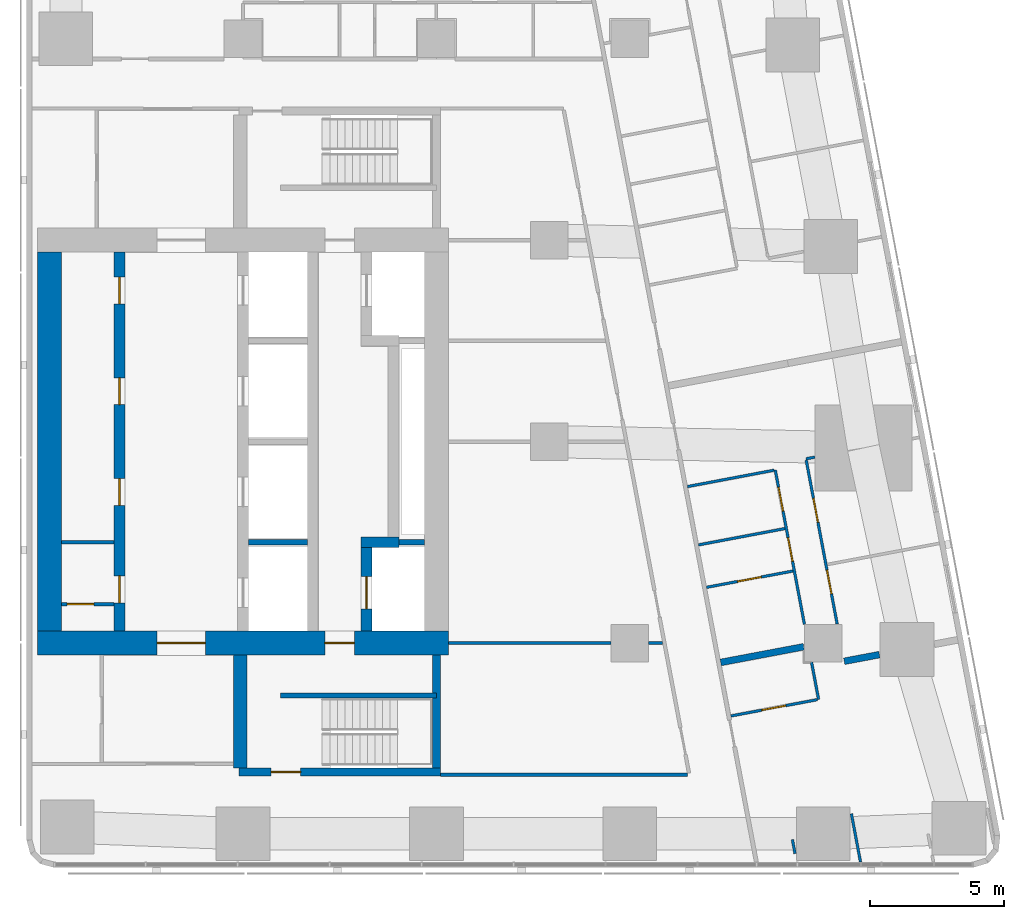
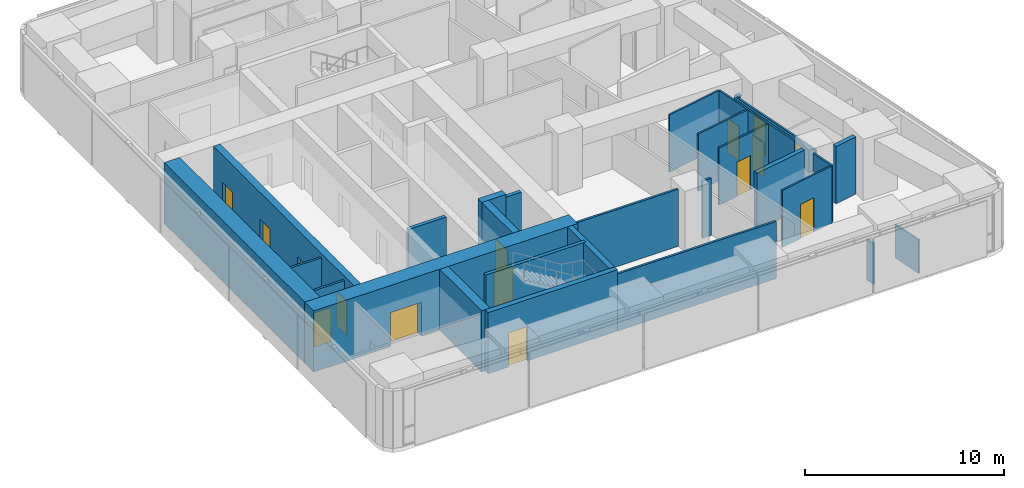
# One storey, part 5 of 11: 28 walls, 15 doors, 15 openings.
"""IFC4 building model written with IfcOpenShell, lengths in metres."""

from ifc_helpers import new_model, si_unit, direction, frame, frame_2d, origin, place, context, subcontext, project, spatial, rectangle, extrude, material, layer, layer_set, type_object, element, fill, save


model = new_model("IFC4")

# Units and contexts
model_context = context("Model", 3, precision=1e-05, world=origin(), true_north=direction((0.0, 1.0)))
body_context = subcontext(model_context, "Body", "Model", "MODEL_VIEW")
ifc_project = project(units=[si_unit("LENGTHUNIT", "METRE"), si_unit("AREAUNIT", "SQUARE_METRE"), si_unit("VOLUMEUNIT", "CUBIC_METRE"), si_unit("PLANEANGLEUNIT", "RADIAN"), si_unit("MASSUNIT", "GRAM", prefix="KILO")], contexts=[model_context])

# Site, building, storey
site_placement = place(None, origin())
site = spatial("IfcSite", under=ifc_project, at=site_placement, CompositionType="ELEMENT")
building_placement = place(site_placement, origin())
building = spatial("IfcBuilding", under=site, at=building_placement, Name="Sheger Commons Tower", CompositionType="ELEMENT")
storey_placement = place(building_placement, frame((0.0, 0.0, 262.85009765625)))
storey = spatial("IfcBuildingStorey", under=building, at=storey_placement, Name="L67", CompositionType="ELEMENT", Elevation=262.85009765625)

# Wall, openings, doors
ifc_material_1 = material(Name="Concrete C50/60", Category="concrete")
ifc_layer_1 = layer(ifc_material_1, 0.39990234375)
ifc_layer_set_1 = layer_set([ifc_layer_1], Name="CORE INNER WALL 400")
wall_type_1 = type_object("IfcWallType", Name="CORE INNER WALL 400", PredefinedType="SHEAR", material=ifc_layer_set_1)
wall_1_placement = place(storey_placement, frame((17.0, 15.449951171875, 0.0), z_axis=(0.0, 0.0, 1.0), x_axis=(0.0, 1.0, 0.0)))
wall_1 = element("IfcWall", 1, at=wall_1_placement, inside=storey, type_object=wall_type_1, Name="Core inner wall A L67", PredefinedType="SHEAR", context=body_context, shape_type="SweptSolid", body=[
    extrude(rectangle(XDim=14.10009765625, YDim=0.39990234375, at=frame_2d((7.050048828125, 0.0))), origin(), (0.0, 0.0, 1.0), 3.75),
])
opening_1_placement = place(wall_1_placement, frame((1.050048828125, 0.0, 0.0)))
opening_1 = element("IfcOpeningElement", 2, at=opening_1_placement, cuts=wall_1, Name="Opening D4", PredefinedType="OPENING", context=body_context, shape_type="SweptSolid", body=[
    extrude(rectangle(XDim=1.0, YDim=2.10009765625, at=frame_2d((0.5, 1.050048828125))), frame((0.0, 0.2099609375, 0.0), z_axis=(0.0, -1.0, 0.0), x_axis=(1.0, 0.0, 0.0)), (0.0, 0.0, 1.0), 0.419921875),
])
opening_2_placement = place(wall_1_placement, frame((4.675048828125, 0.0, 0.0)))
opening_2 = element("IfcOpeningElement", 3, at=opening_2_placement, cuts=wall_1, Name="Opening D4", PredefinedType="OPENING", context=body_context, shape_type="SweptSolid", body=[
    extrude(rectangle(XDim=1.0, YDim=2.10009765625, at=frame_2d((0.5, 1.050048828125))), frame((0.0, 0.2099609375, 0.0), z_axis=(0.0, -1.0, 0.0), x_axis=(1.0, 0.0, 0.0)), (0.0, 0.0, 1.0), 0.419921875),
])
opening_3_placement = place(wall_1_placement, frame((8.425048828125, 0.0, 0.0)))
opening_3 = element("IfcOpeningElement", 4, at=opening_3_placement, cuts=wall_1, Name="Opening D4", PredefinedType="OPENING", context=body_context, shape_type="SweptSolid", body=[
    extrude(rectangle(XDim=1.0, YDim=2.10009765625, at=frame_2d((0.5, 1.050048828125))), frame((0.0, 0.2099609375, 0.0), z_axis=(0.0, -1.0, 0.0), x_axis=(1.0, 0.0, 0.0)), (0.0, 0.0, 1.0), 0.419921875),
])
opening_4_placement = place(wall_1_placement, frame((12.175048828125, 0.0, 0.0)))
opening_4 = element("IfcOpeningElement", 5, at=opening_4_placement, cuts=wall_1, Name="Opening D4", PredefinedType="OPENING", context=body_context, shape_type="SweptSolid", body=[
    extrude(rectangle(XDim=1.0, YDim=2.10009765625, at=frame_2d((0.5, 1.050048828125))), frame((0.0, 0.2099609375, 0.0), z_axis=(0.0, -1.0, 0.0), x_axis=(1.0, 0.0, 0.0)), (0.0, 0.0, 1.0), 0.419921875),
])
ifc_material_2 = material(Name="Steel door set, fire rated", Category="steel")
door_type_1 = type_object("IfcDoorType", Name="SERVICE DOOR 1000x2100", OperationType="NOTDEFINED", PredefinedType="DOOR", material=ifc_material_2)
door_1_placement = place(opening_1_placement, origin())
door_1 = element("IfcDoor", 6, at=door_1_placement, inside=storey, type_object=door_type_1, Name="IT and telecom room door", OperationType="SINGLE_SWING_LEFT", OverallHeight=2.10009765625, OverallWidth=1.0, PredefinedType="DOOR", context=body_context, shape_type="SweptSolid", body=[
    extrude(rectangle(XDim=1.0, YDim=2.10009765625, at=frame_2d((0.5, 1.050048828125))), frame((0.0, 0.02490234375, 0.0), z_axis=(0.0, -1.0, 0.0), x_axis=(1.0, 0.0, 0.0)), (0.0, 0.0, 1.0), 0.050048828125),
])
fill(opening_1, door_1)
door_2_placement = place(opening_2_placement, origin())
door_2 = element("IfcDoor", 7, at=door_2_placement, inside=storey, type_object=door_type_1, Name="Linen and housekeeping store door", OperationType="SINGLE_SWING_LEFT", OverallHeight=2.10009765625, OverallWidth=1.0, PredefinedType="DOOR", context=body_context, shape_type="SweptSolid", body=[
    extrude(rectangle(XDim=1.0, YDim=2.10009765625, at=frame_2d((0.5, 1.050048828125))), frame((0.0, 0.02490234375, 0.0), z_axis=(0.0, -1.0, 0.0), x_axis=(1.0, 0.0, 0.0)), (0.0, 0.0, 1.0), 0.050048828125),
])
fill(opening_2, door_2)
door_3_placement = place(opening_3_placement, origin())
door_3 = element("IfcDoor", 8, at=door_3_placement, inside=storey, type_object=door_type_1, Name="Linen and housekeeping store door", OperationType="SINGLE_SWING_RIGHT", OverallHeight=2.10009765625, OverallWidth=1.0, PredefinedType="DOOR", context=body_context, shape_type="SweptSolid", body=[
    extrude(rectangle(XDim=1.0, YDim=2.10009765625, at=frame_2d((0.5, 1.050048828125))), frame((0.0, 0.02490234375, 0.0), z_axis=(0.0, -1.0, 0.0), x_axis=(1.0, 0.0, 0.0)), (0.0, 0.0, 1.0), 0.050048828125),
])
fill(opening_3, door_3)
door_4_placement = place(opening_4_placement, origin())
door_4 = element("IfcDoor", 9, at=door_4_placement, inside=storey, type_object=door_type_1, Name="Linen and housekeeping store door", OperationType="SINGLE_SWING_RIGHT", OverallHeight=2.10009765625, OverallWidth=1.0, PredefinedType="DOOR", context=body_context, shape_type="SweptSolid", body=[
    extrude(rectangle(XDim=1.0, YDim=2.10009765625, at=frame_2d((0.5, 1.050048828125))), frame((0.0, 0.02490234375, 0.0), z_axis=(0.0, -1.0, 0.0), x_axis=(1.0, 0.0, 0.0)), (0.0, 0.0, 1.0), 0.050048828125),
])
fill(opening_4, door_4)

# Wall, opening, door
wall_2_placement = place(storey_placement, frame((26.199951171875, 15.449951171875, 0.0), z_axis=(0.0, 0.0, 1.0), x_axis=(0.0, 1.0, 0.0)))
wall_2 = element("IfcWall", 10, at=wall_2_placement, inside=storey, type_object=wall_type_1, Name="Core inner wall F L67", PredefinedType="SHEAR", context=body_context, shape_type="SweptSolid", body=[
    extrude(rectangle(XDim=3.10009765625, YDim=0.39990234375, at=frame_2d((1.550048828125, 0.0))), origin(), (0.0, 0.0, 1.0), 3.75),
])
opening_5_placement = place(wall_2_placement, frame((0.824951171875, 0.0, 0.0)))
opening_5 = element("IfcOpeningElement", 11, at=opening_5_placement, cuts=wall_2, Name="Opening LD2", PredefinedType="OPENING", context=body_context, shape_type="SweptSolid", body=[
    extrude(rectangle(XDim=1.199951171875, YDim=2.10009765625, at=frame_2d((0.60009765625, 1.050048828125))), frame((0.0, 0.2099609375, 0.0), z_axis=(0.0, -1.0, 0.0), x_axis=(1.0, 0.0, 0.0)), (0.0, 0.0, 1.0), 0.419921875),
])
ifc_material_3 = material(Name="Steel door set, fire rated", Category="steel")
door_type_2 = type_object("IfcDoorType", Name="FIREFIGHTING LIFT LANDING DOOR 1200x2100", OperationType="DOUBLE_DOOR_SLIDING", PredefinedType="DOOR", material=ifc_material_3)
door_5_placement = place(opening_5_placement, origin())
door_5 = element("IfcDoor", 12, at=door_5_placement, inside=storey, type_object=door_type_2, Name="Lift FL1 landing door", OperationType="DOUBLE_DOOR_SLIDING", OverallHeight=2.10009765625, OverallWidth=1.199951171875, PredefinedType="DOOR", context=body_context, shape_type="SweptSolid", body=[
    extrude(rectangle(XDim=1.199951171875, YDim=2.10009765625, at=frame_2d((0.60009765625, 1.050048828125))), frame((0.0, 0.02490234375, 0.0), z_axis=(0.0, -1.0, 0.0), x_axis=(1.0, 0.0, 0.0)), (0.0, 0.0, 1.0), 0.050048828125),
])
fill(opening_5, door_5)

# Wall
wall_3_placement = place(storey_placement, frame((26.0, 18.75, 0.0), z_axis=(0.0, 0.0, 1.0), x_axis=(1.0, 0.0, 0.0)))
element("IfcWall", 13, at=wall_3_placement, inside=storey, type_object=wall_type_1, Name="Core inner wall F south return L67", PredefinedType="SHEAR", context=body_context, shape_type="SweptSolid", body=[
    extrude(rectangle(XDim=1.39990234375, YDim=0.39990234375, at=frame_2d((0.699951171875, 0.0))), origin(), (0.0, 0.0, 1.0), 3.75),
])

# Wall, openings, doors
ifc_material_4 = material(Name="Concrete C50/60", Category="concrete")
ifc_layer_2 = layer(ifc_material_4, 0.89990234375)
ifc_layer_set_2 = layer_set([ifc_layer_2], Name="CORE WALL 900")
wall_type_2 = type_object("IfcWallType", Name="CORE WALL 900", PredefinedType="SHEAR", material=ifc_layer_set_2)
wall_4_placement = place(storey_placement, frame((13.949951171875, 15.0, 0.0), z_axis=(0.0, 0.0, 1.0), x_axis=(1.0, 0.0, 0.0)))
wall_4 = element("IfcWall", 14, at=wall_4_placement, inside=storey, type_object=wall_type_2, Name="Core wall south L67", PredefinedType="SHEAR", context=body_context, shape_type="SweptSolid", body=[
    extrude(rectangle(XDim=15.300048828125, YDim=0.89990234375, at=frame_2d((7.64990234375, 0.0))), origin(), (0.0, 0.0, 1.0), 3.75),
])
opening_6_placement = place(wall_4_placement, frame((4.449951171875, 0.0, 0.0)))
opening_6 = element("IfcOpeningElement", 15, at=opening_6_placement, cuts=wall_4, Name="Opening D6", PredefinedType="OPENING", context=body_context, shape_type="SweptSolid", body=[
    extrude(rectangle(XDim=1.800048828125, YDim=2.10009765625, at=frame_2d((0.89990234375, 1.050048828125))), frame((0.0, 0.4599609375, 0.0), z_axis=(0.0, -1.0, 0.0), x_axis=(1.0, 0.0, 0.0)), (0.0, 0.0, 1.0), 0.919921875),
])
opening_7_placement = place(wall_4_placement, frame((10.699951171875, 0.0, 0.0)))
opening_7 = element("IfcOpeningElement", 16, at=opening_7_placement, cuts=wall_4, Name="Opening D5", PredefinedType="OPENING", context=body_context, shape_type="SweptSolid", body=[
    extrude(rectangle(XDim=1.10009765625, YDim=2.10009765625, at=frame_2d((0.550048828125, 1.050048828125))), frame((0.0, 0.4599609375, 0.0), z_axis=(0.0, -1.0, 0.0), x_axis=(1.0, 0.0, 0.0)), (0.0, 0.0, 1.0), 0.919921875),
])
ifc_material_5 = material(Name="Steel door set, fire rated", Category="steel")
door_type_3 = type_object("IfcDoorType", Name="LOBBY DOUBLE DOOR 1800x2100", OperationType="DOUBLE_DOOR_SINGLE_SWING", PredefinedType="DOOR", material=ifc_material_5)
door_6_placement = place(opening_6_placement, origin())
door_6 = element("IfcDoor", 17, at=door_6_placement, inside=storey, type_object=door_type_3, Name="Lift lobby door", OperationType="DOUBLE_DOOR_SINGLE_SWING", OverallHeight=2.10009765625, OverallWidth=1.800048828125, PredefinedType="DOOR", context=body_context, shape_type="SweptSolid", body=[
    extrude(rectangle(XDim=1.800048828125, YDim=2.10009765625, at=frame_2d((0.89990234375, 1.050048828125))), frame((0.0, 0.02490234375, 0.0), z_axis=(0.0, -1.0, 0.0), x_axis=(1.0, 0.0, 0.0)), (0.0, 0.0, 1.0), 0.050048828125),
])
fill(opening_6, door_6)
ifc_material_6 = material(Name="Steel door set, fire rated", Category="steel")
door_type_4 = type_object("IfcDoorType", Name="STAIR DOOR 1100x2100", OperationType="NOTDEFINED", PredefinedType="DOOR", material=ifc_material_6)
door_7_placement = place(opening_7_placement, origin())
door_7 = element("IfcDoor", 18, at=door_7_placement, inside=storey, type_object=door_type_4, Name="Fire-fighting lobby door", OperationType="SINGLE_SWING_LEFT", OverallHeight=2.10009765625, OverallWidth=1.10009765625, PredefinedType="DOOR", context=body_context, shape_type="SweptSolid", body=[
    extrude(rectangle(XDim=1.10009765625, YDim=2.10009765625, at=frame_2d((0.550048828125, 1.050048828125))), frame((0.0, 0.02490234375, 0.0), z_axis=(0.0, -1.0, 0.0), x_axis=(1.0, 0.0, 0.0)), (0.0, 0.0, 1.0), 0.050048828125),
])
fill(opening_7, door_7)

# Walls
wall_5_placement = place(storey_placement, frame((14.39990234375, 15.449951171875, 0.0), z_axis=(0.0, 0.0, 1.0), x_axis=(0.0, 1.0, 0.0)))
element("IfcWall", 19, at=wall_5_placement, inside=storey, type_object=wall_type_2, Name="Core wall west L67", PredefinedType="SHEAR", context=body_context, shape_type="SweptSolid", body=[
    extrude(rectangle(XDim=14.10009765625, YDim=0.89990234375, at=frame_2d((7.050048828125, 0.0))), origin(), (0.0, 0.0, 1.0), 3.75),
])
ifc_material_7 = material(Name="Dense concrete block masonry, plastered both sides (separating wall between flats)", Category="masonry")
ifc_layer_3 = layer(ifc_material_7, 0.25)
ifc_layer_set_3 = layer_set([ifc_layer_3], Name="DEMISING WALL 250")
wall_type_3 = type_object("IfcWallType", Name="DEMISING WALL 250", PredefinedType="SOLIDWALL", material=ifc_layer_set_3)
wall_6_placement = place(storey_placement, frame((45.2900390625, 14.569091796875, 0.0), z_axis=(0.0, 0.0, 1.0), x_axis=(-0.982676759201, -0.185327782391, 0.0)))
element("IfcWall", 20, at=wall_6_placement, inside=storey, type_object=wall_type_3, Name="Demising wall L67", PredefinedType="SOLIDWALL", context=body_context, shape_type="SweptSolid", body=[
    extrude(rectangle(XDim=1.333251953125, YDim=0.25, at=frame_2d((0.66650390625, 0.0))), origin(), (0.0, 0.0, 1.0), 3.5),
])
wall_7_placement = place(storey_placement, frame((42.47607421875, 14.863037109375, 0.0), z_axis=(0.0, 0.0, 1.0), x_axis=(-0.982638716117, -0.185529387398, 0.0)))
element("IfcWall", 21, at=wall_7_placement, inside=storey, type_object=wall_type_3, Name="Demising wall L67", PredefinedType="SOLIDWALL", context=body_context, shape_type="SweptSolid", body=[
    extrude(rectangle(XDim=3.147705078125, YDim=0.25, at=frame_2d((1.57373046875, 0.0))), origin(), (0.0, 0.0, 1.0), 3.5),
])
ifc_material_8 = material(Name="Gypsum board on steel studs", Category="steel")
ifc_layer_4 = layer(ifc_material_8, 0.10009765625)
ifc_layer_set_4 = layer_set([ifc_layer_4], Name="PARTITION 100")
wall_type_4 = type_object("IfcWallType", Name="PARTITION 100", PredefinedType="PARTITIONING", material=ifc_layer_set_4)
wall_8_placement = place(storey_placement, frame((44.248046875, 8.64599609375, 0.0), z_axis=(0.0, 0.0, 1.0), x_axis=(0.185417594585, -0.982659816833, 0.0)))
element("IfcWall", 22, at=wall_8_placement, inside=storey, type_object=wall_type_4, Name="Partition L67", PredefinedType="PARTITIONING", context=body_context, shape_type="SweptSolid", body=[
    extrude(rectangle(XDim=1.82763671875, YDim=0.10009765625, at=frame_2d((0.913818359375, 0.0))), origin(), (0.0, 0.0, 1.0), 2.0498046875),
])
wall_9_placement = place(storey_placement, frame((42.15087890625, 7.159912109375, 0.0), z_axis=(0.0, 0.0, 1.0), x_axis=(-0.185366164644, 0.982669519729, 0.0)))
element("IfcWall", 23, at=wall_9_placement, inside=storey, type_object=wall_type_4, Name="Partition L67", PredefinedType="PARTITIONING", context=body_context, shape_type="SweptSolid", body=[
    extrude(rectangle(XDim=0.533447265625, YDim=0.10009765625, at=frame_2d((0.2666015625, 0.0))), origin(), (0.0, 0.0, 1.0), 2.5),
])

# Wall, openings, doors
wall_10_placement = place(storey_placement, frame((42.56591796875, 21.80908203125, 0.0), z_axis=(0.0, 0.0, 1.0), x_axis=(0.185613526435, -0.98262282632, 0.0)))
wall_10 = element("IfcWall", 24, at=wall_10_placement, inside=storey, type_object=wall_type_4, Name="Partition L67", PredefinedType="PARTITIONING", context=body_context, shape_type="SweptSolid", body=[
    extrude(rectangle(XDim=6.20703125, YDim=0.10009765625, at=frame_2d((3.103515625, 0.0))), origin(), (0.0, 0.0, 1.0), 2.5),
])
opening_8_placement = place(wall_10_placement, frame((1.449951171875, 0.0, 0.0)))
opening_8 = element("IfcOpeningElement", 25, at=opening_8_placement, cuts=wall_10, Name="Opening D2", PredefinedType="OPENING", context=body_context, shape_type="SweptSolid", body=[
    extrude(rectangle(XDim=0.89990234375, YDim=2.10009765625, at=frame_2d((0.449951171875, 1.050048828125))), frame((0.0, 0.06005859375, 0.0), z_axis=(0.0, -1.0, 0.0), x_axis=(1.0, 0.0, 0.0)), (0.0, 0.0, 1.0), 0.1201171875),
])
opening_9_placement = place(wall_10_placement, frame((4.1630859375, 0.0, 0.0)))
opening_9 = element("IfcOpeningElement", 26, at=opening_9_placement, cuts=wall_10, Name="Opening D2", PredefinedType="OPENING", context=body_context, shape_type="SweptSolid", body=[
    extrude(rectangle(XDim=0.89990234375, YDim=2.10009765625, at=frame_2d((0.449951171875, 1.050048828125))), frame((0.0, 0.06005859375, 0.0), z_axis=(0.0, -1.0, 0.0), x_axis=(1.0, 0.0, 0.0)), (0.0, 0.0, 1.0), 0.1201171875),
])
ifc_material_9 = material(Name="Timber door set", Category="wood")
door_type_5 = type_object("IfcDoorType", Name="INTERNAL DOOR 900x2100", OperationType="NOTDEFINED", PredefinedType="DOOR", material=ifc_material_9)
door_8_placement = place(opening_8_placement, origin())
door_8 = element("IfcDoor", 27, at=door_8_placement, inside=storey, type_object=door_type_5, Name="Main bedroom door", OperationType="SINGLE_SWING_LEFT", OverallHeight=2.10009765625, OverallWidth=0.89990234375, PredefinedType="DOOR", context=body_context, shape_type="SweptSolid", body=[
    extrude(rectangle(XDim=0.89990234375, YDim=2.10009765625, at=frame_2d((0.449951171875, 1.050048828125))), frame((0.0, 0.02490234375, 0.0), z_axis=(0.0, -1.0, 0.0), x_axis=(1.0, 0.0, 0.0)), (0.0, 0.0, 1.0), 0.050048828125),
])
fill(opening_8, door_8)
door_9_placement = place(opening_9_placement, origin())
door_9 = element("IfcDoor", 28, at=door_9_placement, inside=storey, type_object=door_type_5, Name="Bedroom 2 door", OperationType="SINGLE_SWING_LEFT", OverallHeight=2.10009765625, OverallWidth=0.89990234375, PredefinedType="DOOR", context=body_context, shape_type="SweptSolid", body=[
    extrude(rectangle(XDim=0.89990234375, YDim=2.10009765625, at=frame_2d((0.449951171875, 1.050048828125))), frame((0.0, 0.02490234375, 0.0), z_axis=(0.0, -1.0, 0.0), x_axis=(1.0, 0.0, 0.0)), (0.0, 0.0, 1.0), 0.050048828125),
])
fill(opening_9, door_9)

wall_11_placement = place(storey_placement, frame((41.4140625, 21.44189453125, 0.0), z_axis=(0.0, 0.0, 1.0), x_axis=(0.185698675093, -0.982606738257, 0.0)))
wall_11 = element("IfcWall", 29, at=wall_11_placement, inside=storey, type_object=wall_type_4, Name="Partition L67", PredefinedType="PARTITIONING", context=body_context, shape_type="SweptSolid", body=[
    extrude(rectangle(XDim=5.842529296875, YDim=0.10009765625, at=frame_2d((2.92138671875, 0.0))), origin(), (0.0, 0.0, 1.0), 3.5),
])
opening_10_placement = place(wall_11_placement, frame((0.655029296875, 0.0, 0.0)))
opening_10 = element("IfcOpeningElement", 30, at=opening_10_placement, cuts=wall_11, Name="Opening D2", PredefinedType="OPENING", context=body_context, shape_type="SweptSolid", body=[
    extrude(rectangle(XDim=0.89990234375, YDim=2.10009765625, at=frame_2d((0.449951171875, 1.050048828125))), frame((0.0, 0.06005859375, 0.0), z_axis=(0.0, -1.0, 0.0), x_axis=(1.0, 0.0, 0.0)), (0.0, 0.0, 1.0), 0.1201171875),
])
opening_11_placement = place(wall_11_placement, frame((2.56298828125, 0.0, 0.0)))
opening_11 = element("IfcOpeningElement", 31, at=opening_11_placement, cuts=wall_11, Name="Opening D2", PredefinedType="OPENING", context=body_context, shape_type="SweptSolid", body=[
    extrude(rectangle(XDim=0.89990234375, YDim=2.10009765625, at=frame_2d((0.449951171875, 1.050048828125))), frame((0.0, 0.06005859375, 0.0), z_axis=(0.0, -1.0, 0.0), x_axis=(1.0, 0.0, 0.0)), (0.0, 0.0, 1.0), 0.1201171875),
])
door_10_placement = place(opening_10_placement, origin())
door_10 = element("IfcDoor", 32, at=door_10_placement, inside=storey, type_object=door_type_5, Name="Bathroom door", OperationType="SINGLE_SWING_RIGHT", OverallHeight=2.10009765625, OverallWidth=0.89990234375, PredefinedType="DOOR", context=body_context, shape_type="SweptSolid", body=[
    extrude(rectangle(XDim=0.89990234375, YDim=2.10009765625, at=frame_2d((0.449951171875, 1.050048828125))), frame((0.0, 0.02490234375, 0.0), z_axis=(0.0, -1.0, 0.0), x_axis=(1.0, 0.0, 0.0)), (0.0, 0.0, 1.0), 0.050048828125),
])
fill(opening_10, door_10)
door_11_placement = place(opening_11_placement, origin())
door_11 = element("IfcDoor", 33, at=door_11_placement, inside=storey, type_object=door_type_5, Name="Store door", OperationType="SINGLE_SWING_RIGHT", OverallHeight=2.10009765625, OverallWidth=0.89990234375, PredefinedType="DOOR", context=body_context, shape_type="SweptSolid", body=[
    extrude(rectangle(XDim=0.89990234375, YDim=2.10009765625, at=frame_2d((0.449951171875, 1.050048828125))), frame((0.0, 0.02490234375, 0.0), z_axis=(0.0, -1.0, 0.0), x_axis=(1.0, 0.0, 0.0)), (0.0, 0.0, 1.0), 0.050048828125),
])
fill(opening_11, door_11)

# Walls
wall_12_placement = place(storey_placement, frame((42.886962890625, 21.9208984375, 0.0), z_axis=(0.0, 0.0, 1.0), x_axis=(-0.982274918032, -0.187445953293, 0.0)))
element("IfcWall", 34, at=wall_12_placement, inside=storey, type_object=wall_type_4, Name="Partition L67", PredefinedType="PARTITIONING", context=body_context, shape_type="SweptSolid", body=[
    extrude(rectangle(XDim=0.3359375, YDim=0.10009765625, at=frame_2d((0.16796875, 0.0))), origin(), (0.0, 0.0, 1.0), 2.5),
])
wall_13_placement = place(storey_placement, frame((41.364990234375, 21.43310546875, 0.0), z_axis=(0.0, 0.0, 1.0), x_axis=(-0.982607026909, -0.185697147715, 0.0)))
element("IfcWall", 35, at=wall_13_placement, inside=storey, type_object=wall_type_4, Name="Partition L67", PredefinedType="PARTITIONING", context=body_context, shape_type="SweptSolid", body=[
    extrude(rectangle(XDim=3.27490234375, YDim=0.10009765625, at=frame_2d((1.637451171875, 0.0))), origin(), (0.0, 0.0, 1.0), 3.5),
])

# Wall, opening, door
wall_14_placement = place(storey_placement, frame((42.072998046875, 17.681884765625, 0.0), z_axis=(0.0, 0.0, 1.0), x_axis=(-0.982620626894, -0.185625169636, 0.0)))
wall_14 = element("IfcWall", 36, at=wall_14_placement, inside=storey, type_object=wall_type_4, Name="Partition L67", PredefinedType="PARTITIONING", context=body_context, shape_type="SweptSolid", body=[
    extrude(rectangle(XDim=3.27490234375, YDim=0.10009765625, at=frame_2d((1.637451171875, 0.0))), origin(), (0.0, 0.0, 1.0), 3.5),
])
opening_12_placement = place(wall_14_placement, frame((1.199951171875, 0.0, 0.0)))
opening_12 = element("IfcOpeningElement", 37, at=opening_12_placement, cuts=wall_14, Name="Opening D2", PredefinedType="OPENING", context=body_context, shape_type="SweptSolid", body=[
    extrude(rectangle(XDim=0.89990234375, YDim=2.10009765625, at=frame_2d((0.449951171875, 1.050048828125))), frame((0.0, 0.06005859375, 0.0), z_axis=(0.0, -1.0, 0.0), x_axis=(1.0, 0.0, 0.0)), (0.0, 0.0, 1.0), 0.1201171875),
])
door_12_placement = place(opening_12_placement, origin())
door_12 = element("IfcDoor", 38, at=door_12_placement, inside=storey, type_object=door_type_5, Name="Store door", OperationType="SINGLE_SWING_RIGHT", OverallHeight=2.10009765625, OverallWidth=0.89990234375, PredefinedType="DOOR", context=body_context, shape_type="SweptSolid", body=[
    extrude(rectangle(XDim=0.89990234375, YDim=2.10009765625, at=frame_2d((0.449951171875, 1.050048828125))), frame((0.0, 0.02490234375, 0.0), z_axis=(0.0, -1.0, 0.0), x_axis=(1.0, 0.0, 0.0)), (0.0, 0.0, 1.0), 0.050048828125),
])
fill(opening_12, door_12)

# Walls
wall_15_placement = place(storey_placement, frame((41.77490234375, 19.260986328125, 0.0), z_axis=(0.0, 0.0, 1.0), x_axis=(-0.982620626894, -0.185625169636, 0.0)))
element("IfcWall", 39, at=wall_15_placement, inside=storey, type_object=wall_type_4, Name="Partition L67", PredefinedType="PARTITIONING", context=body_context, shape_type="SweptSolid", body=[
    extrude(rectangle(XDim=3.27490234375, YDim=0.10009765625, at=frame_2d((1.637451171875, 0.0))), origin(), (0.0, 0.0, 1.0), 3.5),
])
wall_16_placement = place(storey_placement, frame((42.764892578125, 14.2900390625, 0.0), z_axis=(0.0, 0.0, 1.0), x_axis=(0.185634589628, -0.982618847333, 0.0)))
element("IfcWall", 40, at=wall_16_placement, inside=storey, type_object=wall_type_4, Name="Partition L67", PredefinedType="PARTITIONING", context=body_context, shape_type="SweptSolid", body=[
    extrude(rectangle(XDim=1.41259765625, YDim=0.10009765625, at=frame_2d((0.706298828125, 0.0))), origin(), (0.0, 0.0, 1.0), 3.5),
])

# Wall, opening, door
wall_17_placement = place(storey_placement, frame((42.97802734375, 12.89306640625, 0.0), z_axis=(0.0, 0.0, 1.0), x_axis=(-0.982607026909, -0.185697147715, 0.0)))
wall_17 = element("IfcWall", 41, at=wall_17_placement, inside=storey, type_object=wall_type_4, Name="Partition L67", PredefinedType="PARTITIONING", context=body_context, shape_type="SweptSolid", body=[
    extrude(rectangle(XDim=3.27490234375, YDim=0.10009765625, at=frame_2d((1.637451171875, 0.0))), origin(), (0.0, 0.0, 1.0), 3.5),
])
opening_13_placement = place(wall_17_placement, frame((1.199951171875, 0.0, 0.0)))
opening_13 = element("IfcOpeningElement", 42, at=opening_13_placement, cuts=wall_17, Name="Opening D2", PredefinedType="OPENING", context=body_context, shape_type="SweptSolid", body=[
    extrude(rectangle(XDim=0.89990234375, YDim=2.10009765625, at=frame_2d((0.449951171875, 1.050048828125))), frame((0.0, 0.06005859375, 0.0), z_axis=(0.0, -1.0, 0.0), x_axis=(1.0, 0.0, 0.0)), (0.0, 0.0, 1.0), 0.1201171875),
])
door_13_placement = place(opening_13_placement, origin())
door_13 = element("IfcDoor", 43, at=door_13_placement, inside=storey, type_object=door_type_5, Name="Shower room door", OperationType="SINGLE_SWING_RIGHT", OverallHeight=2.10009765625, OverallWidth=0.89990234375, PredefinedType="DOOR", context=body_context, shape_type="SweptSolid", body=[
    extrude(rectangle(XDim=0.89990234375, YDim=2.10009765625, at=frame_2d((0.449951171875, 1.050048828125))), frame((0.0, 0.02490234375, 0.0), z_axis=(0.0, -1.0, 0.0), x_axis=(1.0, 0.0, 0.0)), (0.0, 0.0, 1.0), 0.050048828125),
])
fill(opening_13, door_13)

# Walls
ifc_material_10 = material(Name="Gypsum board on steel studs, two layers each side, fire rated", Category="steel")
ifc_layer_5 = layer(ifc_material_10, 0.125)
ifc_layer_set_5 = layer_set([ifc_layer_5], Name="SERVICE WALL 125")
wall_type_5 = type_object("IfcWallType", Name="SERVICE WALL 125", PredefinedType="PARTITIONING", material=ifc_layer_set_5)
wall_18_placement = place(storey_placement, frame((28.949951171875, 10.10009765625, 0.0), z_axis=(0.0, 0.0, 1.0), x_axis=(1.0, 0.0, 0.0)))
element("IfcWall", 44, at=wall_18_placement, inside=storey, type_object=wall_type_5, Name="Service room wall L67", PredefinedType="PARTITIONING", context=body_context, shape_type="SweptSolid", body=[
    extrude(rectangle(XDim=9.18798828125, YDim=0.125, at=frame_2d((4.593994140625, 0.0))), origin(), (0.0, 0.0, 1.0), 3.5),
])
wall_19_placement = place(storey_placement, frame((29.25, 15.0, 0.0), z_axis=(0.0, 0.0, 1.0), x_axis=(1.0, 0.0, 0.0)))
element("IfcWall", 45, at=wall_19_placement, inside=storey, type_object=wall_type_5, Name="Service room wall L67", PredefinedType="PARTITIONING", context=body_context, shape_type="SweptSolid", body=[
    extrude(rectangle(XDim=6.049072265625, YDim=0.125, at=frame_2d((3.0244140625, 0.0))), origin(), (0.0, 0.0, 1.0), 3.5),
])
wall_20_placement = place(storey_placement, frame((36.700927734375, 15.0, 0.0), z_axis=(0.0, 0.0, 1.0), x_axis=(1.0, 0.0, 0.0)))
element("IfcWall", 46, at=wall_20_placement, inside=storey, type_object=wall_type_5, Name="Service room wall L67", PredefinedType="PARTITIONING", context=body_context, shape_type="SweptSolid", body=[
    extrude(rectangle(XDim=0.511962890625, YDim=0.125, at=frame_2d((0.255859375, 0.0))), origin(), (0.0, 0.0, 1.0), 3.5),
])

# Wall, opening, door
wall_21_placement = place(storey_placement, frame((14.85009765625, 16.449951171875, 0.0), z_axis=(0.0, 0.0, 1.0), x_axis=(1.0, 0.0, 0.0)))
wall_21 = element("IfcWall", 47, at=wall_21_placement, inside=storey, type_object=wall_type_5, Name="Service room wall L67", PredefinedType="PARTITIONING", context=body_context, shape_type="SweptSolid", body=[
    extrude(rectangle(XDim=1.949951171875, YDim=0.125, at=frame_2d((0.97509765625, 0.0))), origin(), (0.0, 0.0, 1.0), 3.5),
])
opening_14_placement = place(wall_21_placement, frame((0.199951171875, 0.0, 0.0)))
opening_14 = element("IfcOpeningElement", 48, at=opening_14_placement, cuts=wall_21, Name="Opening D4", PredefinedType="OPENING", context=body_context, shape_type="SweptSolid", body=[
    extrude(rectangle(XDim=1.0, YDim=2.10009765625, at=frame_2d((0.5, 1.050048828125))), frame((0.0, 0.072509765625, 0.0), z_axis=(0.0, -1.0, 0.0), x_axis=(1.0, 0.0, 0.0)), (0.0, 0.0, 1.0), 0.14501953125),
])
door_14_placement = place(opening_14_placement, origin())
door_14 = element("IfcDoor", 49, at=door_14_placement, inside=storey, type_object=door_type_1, Name="Electrical riser door", OperationType="SINGLE_SWING_RIGHT", OverallHeight=2.10009765625, OverallWidth=1.0, PredefinedType="DOOR", context=body_context, shape_type="SweptSolid", body=[
    extrude(rectangle(XDim=1.0, YDim=2.10009765625, at=frame_2d((0.5, 1.050048828125))), frame((0.0, 0.02490234375, 0.0), z_axis=(0.0, -1.0, 0.0), x_axis=(1.0, 0.0, 0.0)), (0.0, 0.0, 1.0), 0.050048828125),
])
fill(opening_14, door_14)

# Walls
wall_22_placement = place(storey_placement, frame((14.85009765625, 18.75, 0.0), z_axis=(0.0, 0.0, 1.0), x_axis=(1.0, 0.0, 0.0)))
element("IfcWall", 50, at=wall_22_placement, inside=storey, type_object=wall_type_5, Name="Service room wall L67", PredefinedType="PARTITIONING", context=body_context, shape_type="SweptSolid", body=[
    extrude(rectangle(XDim=1.949951171875, YDim=0.125, at=frame_2d((0.97509765625, 0.0))), origin(), (0.0, 0.0, 1.0), 3.5),
])
ifc_material_11 = material(Name="Hollow concrete block masonry", Category="masonry")
ifc_layer_6 = layer(ifc_material_11, 0.199951171875)
ifc_layer_set_6 = layer_set([ifc_layer_6], Name="SHAFT WALL 200")
wall_type_6 = type_object("IfcWallType", Name="SHAFT WALL 200", PredefinedType="SOLIDWALL", material=ifc_layer_set_6)
wall_23_placement = place(storey_placement, frame((21.800048828125, 18.75, 0.0), z_axis=(0.0, 0.0, 1.0), x_axis=(1.0, 0.0, 0.0)))
element("IfcWall", 51, at=wall_23_placement, inside=storey, type_object=wall_type_6, Name="Lift shaft wall L67", PredefinedType="SOLIDWALL", context=body_context, shape_type="SweptSolid", body=[
    extrude(rectangle(XDim=2.199951171875, YDim=0.199951171875, at=frame_2d((1.10009765625, 0.0))), origin(), (0.0, 0.0, 1.0), 3.5),
])
wall_24_placement = place(storey_placement, frame((27.39990234375, 18.75, 0.0), z_axis=(0.0, 0.0, 1.0), x_axis=(1.0, 0.0, 0.0)))
element("IfcWall", 52, at=wall_24_placement, inside=storey, type_object=wall_type_6, Name="Lift shaft wall L67", PredefinedType="SOLIDWALL", context=body_context, shape_type="SweptSolid", body=[
    extrude(rectangle(XDim=0.9501953125, YDim=0.199951171875, at=frame_2d((0.47509765625, 0.0))), origin(), (0.0, 0.0, 1.0), 3.5),
])

# Wall, opening, door
ifc_material_12 = material(Name="Concrete C50/60", Category="concrete")
ifc_layer_7 = layer(ifc_material_12, 0.300048828125)
ifc_layer_set_7 = layer_set([ifc_layer_7], Name="STAIR CORE WALL 300")
wall_type_7 = type_object("IfcWallType", Name="STAIR CORE WALL 300", PredefinedType="SHEAR", material=ifc_layer_set_7)
wall_25_placement = place(storey_placement, frame((21.449951171875, 10.199951171875, 0.0), z_axis=(0.0, 0.0, 1.0), x_axis=(1.0, 0.0, 0.0)))
wall_25 = element("IfcWall", 53, at=wall_25_placement, inside=storey, type_object=wall_type_7, Name="STW-L67-S1S", PredefinedType="SHEAR", context=body_context, shape_type="SweptSolid", body=[
    extrude(rectangle(XDim=7.5, YDim=0.300048828125, at=frame_2d((3.75, 0.0))), origin(), (0.0, 0.0, 1.0), 3.75),
])
opening_15_placement = place(wall_25_placement, frame((1.199951171875, 0.0, 0.0)))
opening_15 = element("IfcOpeningElement", 54, at=opening_15_placement, cuts=wall_25, Name="Opening D5", PredefinedType="OPENING", context=body_context, shape_type="SweptSolid", body=[
    extrude(rectangle(XDim=1.10009765625, YDim=2.10009765625, at=frame_2d((0.550048828125, 1.050048828125))), frame((0.0, 0.159912109375, 0.0), z_axis=(0.0, -1.0, 0.0), x_axis=(1.0, 0.0, 0.0)), (0.0, 0.0, 1.0), 0.320068359375),
])
door_15_placement = place(opening_15_placement, origin())
door_15 = element("IfcDoor", 55, at=door_15_placement, inside=storey, type_object=door_type_4, Name="Stair S1 door", OperationType="SINGLE_SWING_LEFT", OverallHeight=2.10009765625, OverallWidth=1.10009765625, PredefinedType="DOOR", context=body_context, shape_type="SweptSolid", body=[
    extrude(rectangle(XDim=1.10009765625, YDim=2.10009765625, at=frame_2d((0.550048828125, 1.050048828125))), frame((0.0, 0.02490234375, 0.0), z_axis=(0.0, -1.0, 0.0), x_axis=(1.0, 0.0, 0.0)), (0.0, 0.0, 1.0), 0.050048828125),
])
fill(opening_15, door_15)

# Walls
wall_26_placement = place(storey_placement, frame((28.800048828125, 10.35009765625, 0.0), z_axis=(0.0, 0.0, 1.0), x_axis=(0.0, 1.0, 0.0)))
element("IfcWall", 56, at=wall_26_placement, inside=storey, type_object=wall_type_7, Name="STW-L67-S1E", PredefinedType="SHEAR", context=body_context, shape_type="SweptSolid", body=[
    extrude(rectangle(XDim=4.199951171875, YDim=0.300048828125, at=frame_2d((2.10009765625, 0.0))), origin(), (0.0, 0.0, 1.0), 3.75),
])
ifc_material_13 = material(Name="Concrete C50/60", Category="concrete")
ifc_layer_8 = layer(ifc_material_13, 0.5)
ifc_layer_set_8 = layer_set([ifc_layer_8], Name="STAIR CORE WALL 500")
wall_type_8 = type_object("IfcWallType", Name="STAIR CORE WALL 500", PredefinedType="SHEAR", material=ifc_layer_set_8)
wall_27_placement = place(storey_placement, frame((21.5, 10.35009765625, 0.0), z_axis=(0.0, 0.0, 1.0), x_axis=(0.0, 1.0, 0.0)))
element("IfcWall", 57, at=wall_27_placement, inside=storey, type_object=wall_type_8, Name="STW-L67-S1W", PredefinedType="SHEAR", context=body_context, shape_type="SweptSolid", body=[
    extrude(rectangle(XDim=4.199951171875, YDim=0.5, at=frame_2d((2.10009765625, 0.0))), origin(), (0.0, 0.0, 1.0), 3.75),
])
ifc_material_14 = material(Name="Concrete C50/60", Category="concrete")
ifc_layer_9 = layer(ifc_material_14, 0.199951171875)
ifc_layer_set_9 = layer_set([ifc_layer_9], Name="STAIR SPINE WALL 200")
wall_type_9 = type_object("IfcWallType", Name="STAIR SPINE WALL 200", PredefinedType="SHEAR", material=ifc_layer_set_9)
wall_28_placement = place(storey_placement, frame((23.0, 13.050048828125, 0.0), z_axis=(0.0, 0.0, 1.0), x_axis=(1.0, 0.0, 0.0)))
element("IfcWall", 58, at=wall_28_placement, inside=storey, type_object=wall_type_9, Name="Stair spine wall L67", PredefinedType="SHEAR", context=body_context, shape_type="SweptSolid", body=[
    extrude(rectangle(XDim=5.800048828125, YDim=0.199951171875, at=frame_2d((2.89990234375, 0.0))), origin(), (0.0, 0.0, 1.0), 3.75),
])

save(model, "model.ifc")
